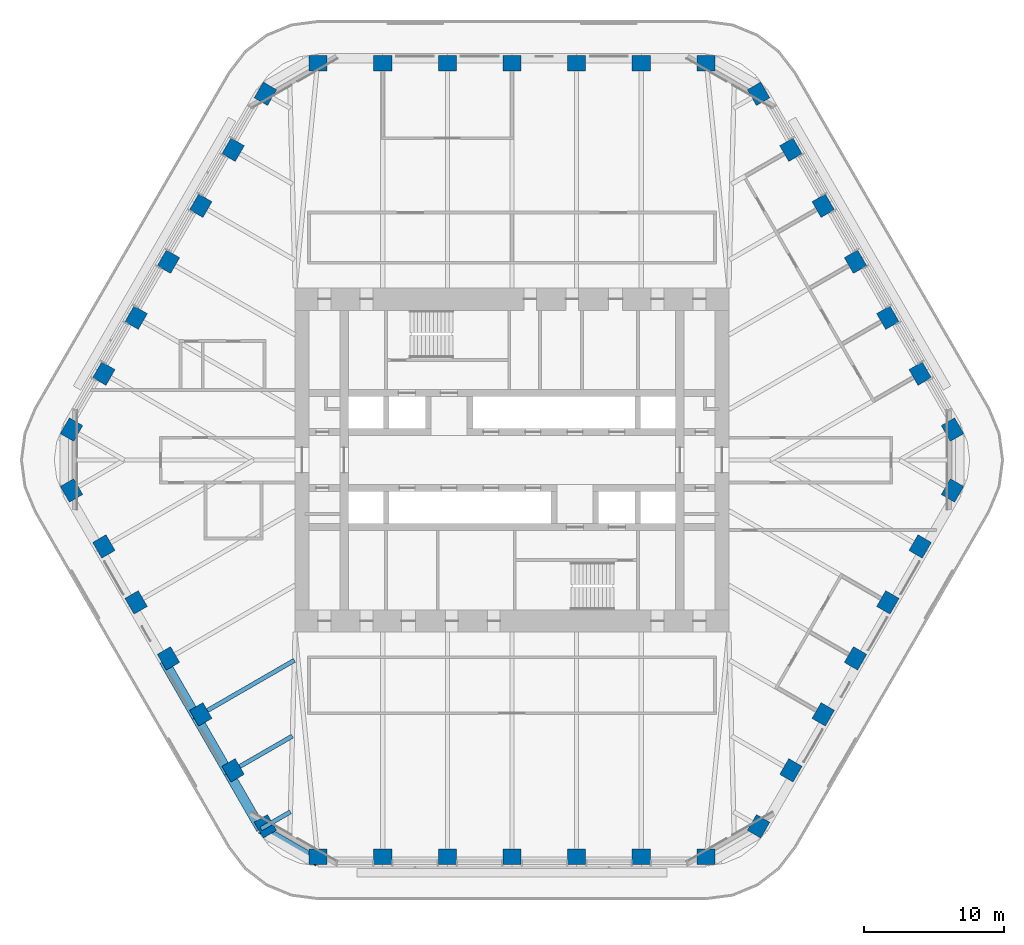
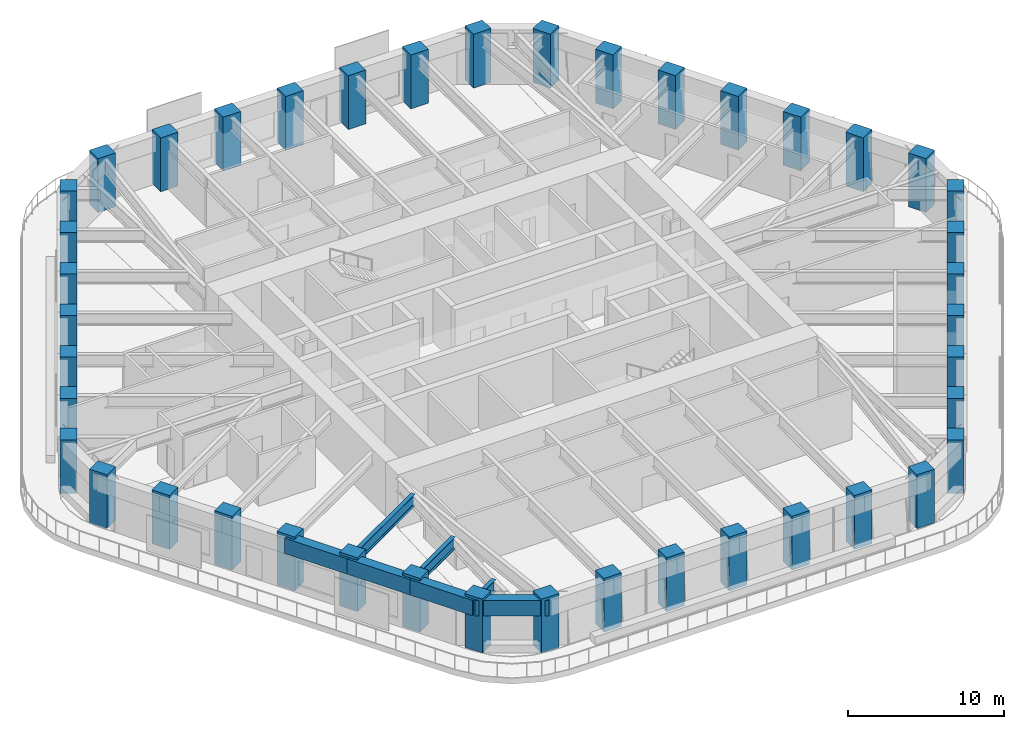
# One storey, part 1 of 20: 42 columns, 7 beams.
"""IFC4 building model written with IfcOpenShell, lengths in metres."""

from ifc_helpers import new_model, si_unit, direction, frame, origin, origin_2d, place, context, subcontext, project, spatial, rectangle, i_section, extrude, material, material_profile, profile_set, type_object, element, save


model = new_model("IFC4")

# Units and contexts
model_context = context("Model", 3, precision=1e-05, world=origin(), true_north=direction((0.0, 1.0)))
body_context = subcontext(model_context, "Body", "Model", "MODEL_VIEW")
ifc_project = project(units=[si_unit("LENGTHUNIT", "METRE"), si_unit("AREAUNIT", "SQUARE_METRE"), si_unit("VOLUMEUNIT", "CUBIC_METRE"), si_unit("PLANEANGLEUNIT", "RADIAN"), si_unit("MASSUNIT", "GRAM", prefix="KILO")], contexts=[model_context])

# Site, building, storey
site_placement = place(None, origin())
site = spatial("IfcSite", under=ifc_project, at=site_placement, CompositionType="ELEMENT")
building_placement = place(site_placement, origin())
building = spatial("IfcBuilding", under=site, at=building_placement, Name="Tarfa Lantern Tower", CompositionType="ELEMENT")
storey_placement = place(building_placement, frame((0.0, 0.0, 240.699951171875)))
storey = spatial("IfcBuildingStorey", under=building, at=storey_placement, Name="L54", CompositionType="ELEMENT", Elevation=240.699951171875)

# Columns
ifc_material_1 = material(Name="Concrete C80/95", Category="concrete")
ifc_material_profile_1 = material_profile(ifc_material_1, rectangle(XDim=1.300048828125, YDim=1.10009765625, at=origin_2d()), Name="RC 1300x1100")
ifc_profile_set_1 = profile_set([ifc_material_profile_1], Name="Concrete C80/95")
column_type = type_object("IfcColumnType", Name="TC10 RC 1300x1100", PredefinedType="COLUMN", material=ifc_profile_set_1)
for number, where, z_axis, x_axis, name in (
    (1, (31.47998046875, 2.175048828125, 0.0), (0.0, 0.0, 1.0), (-0.5, 0.866025403784, 0.0), "Tube column NE0"),
    (2, (29.170654296875, 6.175048828125, 0.0), (0.0, 0.0, 1.0), (-0.5, 0.866025403784, 0.0), "Tube column NE1"),
    (3, (26.861328125, 10.175048828125, 0.0), (0.0, 0.0, 1.0), (-0.5, 0.866025403784, 0.0), "Tube column NE2"),
    (4, (24.5517578125, 14.175048828125, 0.0), (0.0, 0.0, 1.0), (-0.5, 0.866025403784, 0.0), "Tube column NE3"),
    (5, (22.242431640625, 18.175048828125, 0.0), (0.0, 0.0, 1.0), (-0.5, 0.866025403784, 0.0), "Tube column NE4"),
    (6, (19.93310546875, 22.175048828125, 0.0), (0.0, 0.0, 1.0), (-0.5, 0.866025403784, 0.0), "Tube column NE5"),
    (7, (17.62353515625, 26.175048828125, 0.0), (0.0, 0.0, 1.0), (-0.5, 0.866025403784, 0.0), "Tube column NE6"),
    (8, (13.8564453125, 28.35009765625, 0.0), (0.0, 0.0, 1.0), (-1.0, 0.0, 0.0), "Tube column N0"),
    (9, (9.237548828125, 28.35009765625, 0.0), (0.0, 0.0, 1.0), (-1.0, 0.0, 0.0), "Tube column N1"),
    (10, (4.618896484375, 28.35009765625, 0.0), (0.0, 0.0, 1.0), (-1.0, 0.0, 0.0), "Tube column N2"),
    (11, (0.0, 28.35009765625, 0.0), (0.0, 0.0, 1.0), (-1.0, 0.0, 0.0), "Tube column N3"),
    (12, (-4.618896484375, 28.35009765625, 0.0), (0.0, 0.0, 1.0), (-1.0, 0.0, 0.0), "Tube column N4"),
    (13, (-9.237548828125, 28.35009765625, 0.0), (0.0, 0.0, 1.0), (-1.0, 0.0, 0.0), "Tube column N5"),
    (14, (-13.8564453125, 28.35009765625, 0.0), (0.0, 0.0, 1.0), (-1.0, 0.0, 0.0), "Tube column N6"),
    (15, (-17.62353515625, 26.175048828125, 0.0), (0.0, 0.0, 1.0), (-0.5, -0.866025403784, 0.0), "Tube column NW0"),
    (16, (-19.93310546875, 22.175048828125, 0.0), (0.0, 0.0, 1.0), (-0.5, -0.866025403784, 0.0), "Tube column NW1"),
    (17, (-22.242431640625, 18.175048828125, 0.0), (0.0, 0.0, 1.0), (-0.5, -0.866025403784, 0.0), "Tube column NW2"),
    (18, (-24.5517578125, 14.175048828125, 0.0), (0.0, 0.0, 1.0), (-0.5, -0.866025403784, 0.0), "Tube column NW3"),
    (19, (-26.861328125, 10.175048828125, 0.0), (0.0, 0.0, 1.0), (-0.5, -0.866025403784, 0.0), "Tube column NW4"),
    (20, (-29.170654296875, 6.175048828125, 0.0), (0.0, 0.0, 1.0), (-0.5, -0.866025403784, 0.0), "Tube column NW5"),
    (21, (-31.47998046875, 2.175048828125, 0.0), (0.0, 0.0, 1.0), (-0.5, -0.866025403784, 0.0), "Tube column NW6"),
    (22, (-31.47998046875, -2.175048828125, 0.0), (0.0, 0.0, 1.0), (0.5, -0.866025403784, 0.0), "Tube column SW0"),
    (23, (-29.170654296875, -6.175048828125, 0.0), (0.0, 0.0, 1.0), (0.5, -0.866025403784, 0.0), "Tube column SW1"),
    (24, (-26.861328125, -10.175048828125, 0.0), (0.0, 0.0, 1.0), (0.5, -0.866025403784, 0.0), "Tube column SW2"),
    (25, (-24.5517578125, -14.175048828125, 0.0), (0.0, 0.0, 1.0), (0.5, -0.866025403784, 0.0), "Tube column SW3"),
    (26, (-22.242431640625, -18.175048828125, 0.0), (0.0, 0.0, 1.0), (0.5, -0.866025403784, 0.0), "Tube column SW4"),
    (27, (-19.93310546875, -22.175048828125, 0.0), (0.0, 0.0, 1.0), (0.5, -0.866025403784, 0.0), "Tube column SW5"),
    (28, (-17.62353515625, -26.175048828125, 0.0), (0.0, 0.0, 1.0), (0.5, -0.866025403784, 0.0), "Tube column SW6"),
    (29, (-13.8564453125, -28.35009765625, 0.0), (0.0, 0.0, 1.0), (1.0, 0.0, 0.0), "Tube column S0"),
    (30, (-9.237548828125, -28.35009765625, 0.0), (0.0, 0.0, 1.0), (1.0, 0.0, 0.0), "Tube column S1"),
    (31, (-4.618896484375, -28.35009765625, 0.0), (0.0, 0.0, 1.0), (1.0, 0.0, 0.0), "Tube column S2"),
    (32, (0.0, -28.35009765625, 0.0), (0.0, 0.0, 1.0), (1.0, 0.0, 0.0), "Tube column S3"),
    (33, (4.618896484375, -28.35009765625, 0.0), (0.0, 0.0, 1.0), (1.0, 0.0, 0.0), "Tube column S4"),
    (34, (9.237548828125, -28.35009765625, 0.0), (0.0, 0.0, 1.0), (1.0, 0.0, 0.0), "Tube column S5"),
    (35, (13.8564453125, -28.35009765625, 0.0), (0.0, 0.0, 1.0), (1.0, 0.0, 0.0), "Tube column S6"),
    (36, (17.62353515625, -26.175048828125, 0.0), (0.0, 0.0, 1.0), (0.5, 0.866025403784, 0.0), "Tube column SE0"),
    (37, (19.93310546875, -22.175048828125, 0.0), (0.0, 0.0, 1.0), (0.5, 0.866025403784, 0.0), "Tube column SE1"),
    (38, (22.242431640625, -18.175048828125, 0.0), (0.0, 0.0, 1.0), (0.5, 0.866025403784, 0.0), "Tube column SE2"),
    (39, (24.5517578125, -14.175048828125, 0.0), (0.0, 0.0, 1.0), (0.5, 0.866025403784, 0.0), "Tube column SE3"),
    (40, (26.861328125, -10.175048828125, 0.0), (0.0, 0.0, 1.0), (0.5, 0.866025403784, 0.0), "Tube column SE4"),
    (41, (29.170654296875, -6.175048828125, 0.0), (0.0, 0.0, 1.0), (0.5, 0.866025403784, 0.0), "Tube column SE5"),
    (42, (31.47998046875, -2.175048828125, 0.0), (0.0, 0.0, 1.0), (0.5, 0.866025403784, 0.0), "Tube column SE6"),
):
    element("IfcColumn", number, at=place(storey_placement, frame(where, z_axis=z_axis, x_axis=x_axis)), inside=storey, type_object=column_type, Name=name, PredefinedType="COLUMN", context=body_context, shape_type="SweptSolid", body=[
        extrude(rectangle(XDim=1.300048828125, YDim=1.10009765625, at=origin_2d()), origin(), (0.0, 0.0, 1.0), 4.199951171875),
    ])

# Beams
ifc_material_profile_2 = material_profile(ifc_material_1, rectangle(XDim=0.699951171875, YDim=1.199951171875, at=origin_2d()), Name="RC 700x1200")
ifc_profile_set_2 = profile_set([ifc_material_profile_2], Name="Concrete C80/95")
beam_type_1 = type_object("IfcBeamType", Name="EB3 RC 700x1200", PredefinedType="SPANDREL", material=ifc_profile_set_2)
beam_1_placement = place(storey_placement, frame((-24.872314453125, -14.360107421875, 3.400146484375), z_axis=(0.500027479704, -0.866009537788, 0.0), x_axis=(0.866009537788, 0.500027479704, 0.0)))
element("IfcBeam", 43, at=beam_1_placement, inside=storey, type_object=beam_type_1, Name="Edge beam SW3", PredefinedType="SPANDREL", context=body_context, shape_type="SweptSolid", body=[
    extrude(rectangle(XDim=0.699951171875, YDim=1.199951171875, at=origin_2d()), origin(), (0.0, 0.0, 1.0), 4.618896484375),
])
for number, where, z_axis, x_axis, name in (
    (44, (-22.562744140625, -18.360107421875, 3.400146484375), (0.499987836815, -0.866032426089, 0.0), (0.866032426089, 0.499987836815, 0.0), "Edge beam SW4"),
    (45, (-20.25341796875, -22.360107421875, 3.400146484375), (0.499987836815, -0.866032426089, 0.0), (0.866032426089, 0.499987836815, 0.0), "Edge beam SW5"),
):
    element("IfcBeam", number, at=place(storey_placement, frame(where, z_axis=z_axis, x_axis=x_axis)), inside=storey, type_object=beam_type_1, Name=name, PredefinedType="SPANDREL", context=body_context, shape_type="SweptSolid", body=[
        extrude(rectangle(XDim=0.699951171875, YDim=1.199951171875, at=origin_2d()), origin(), (0.0, 0.0, 1.0), 4.61865234375),
    ])
beam_2_placement = place(storey_placement, frame((-17.944091796875, -26.360107421875, 3.400146484375), z_axis=(0.866038294681, -0.499977671647, 0.0), x_axis=(0.499977671647, 0.866038294681, 0.0)))
element("IfcBeam", 46, at=beam_2_placement, inside=storey, type_object=beam_type_1, Name="Edge beam SW6", PredefinedType="SPANDREL", context=body_context, shape_type="SweptSolid", body=[
    extrude(rectangle(XDim=0.699951171875, YDim=1.199951171875, at=origin_2d()), origin(), (0.0, 0.0, 1.0), 4.719970703125),
])
ifc_material_2 = material(Name="Steel S460M", Category="steel")
ifc_material_profile_3 = material_profile(ifc_material_2, i_section(OverallWidth=0.305419921875, OverallDepth=0.91845703125, WebThickness=0.017333984375, FlangeThickness=0.02783203125, FilletRadius=0.01904296875, at=origin_2d()), Name="UB914x305x253")
ifc_profile_set_3 = profile_set([ifc_material_profile_3], Name="Steel S460M")
beam_type_2 = type_object("IfcBeamType", Name="UB914x305x253", PredefinedType="BEAM", material=ifc_profile_set_3)
beam_3_placement = place(storey_placement, frame((-22.562744140625, -18.360107421875, 3.540771484375), z_axis=(0.866010787764, 0.500025314835, 0.0), x_axis=(-0.500025314835, 0.866010787764, 0.0)))
element("IfcBeam", 47, at=beam_3_placement, inside=storey, type_object=beam_type_2, Name="Floor beam SW4", PredefinedType="BEAM", context=body_context, shape_type="SweptSolid", body=[
    extrude(i_section(OverallWidth=0.305419921875, OverallDepth=0.91845703125, WebThickness=0.017333984375, FlangeThickness=0.02783203125, FilletRadius=0.01904296875, at=origin_2d()), origin(), (0.0, 0.0, 1.0), 8.09423828125),
])
beam_4_placement = place(storey_placement, frame((-20.25341796875, -22.360107421875, 3.540771484375), z_axis=(0.86601951648, 0.500010196972, 0.0), x_axis=(-0.500010196972, 0.86601951648, 0.0)))
element("IfcBeam", 48, at=beam_4_placement, inside=storey, type_object=beam_type_2, Name="Floor beam SW5", PredefinedType="BEAM", context=body_context, shape_type="SweptSolid", body=[
    extrude(i_section(OverallWidth=0.305419921875, OverallDepth=0.91845703125, WebThickness=0.017333984375, FlangeThickness=0.02783203125, FilletRadius=0.01904296875, at=origin_2d()), origin(), (0.0, 0.0, 1.0), 5.263671875),
])
beam_5_placement = place(storey_placement, frame((-17.944091796875, -26.360107421875, 3.540771484375), z_axis=(0.865980009423, 0.5000786171, 0.0), x_axis=(-0.5000786171, 0.865980009423, 0.0)))
element("IfcBeam", 49, at=beam_5_placement, inside=storey, type_object=beam_type_2, Name="Floor beam SW6", PredefinedType="BEAM", context=body_context, shape_type="SweptSolid", body=[
    extrude(i_section(OverallWidth=0.305419921875, OverallDepth=0.91845703125, WebThickness=0.017333984375, FlangeThickness=0.02783203125, FilletRadius=0.01904296875, at=origin_2d()), origin(), (0.0, 0.0, 1.0), 2.4326171875),
])

save(model, "model.ifc")
